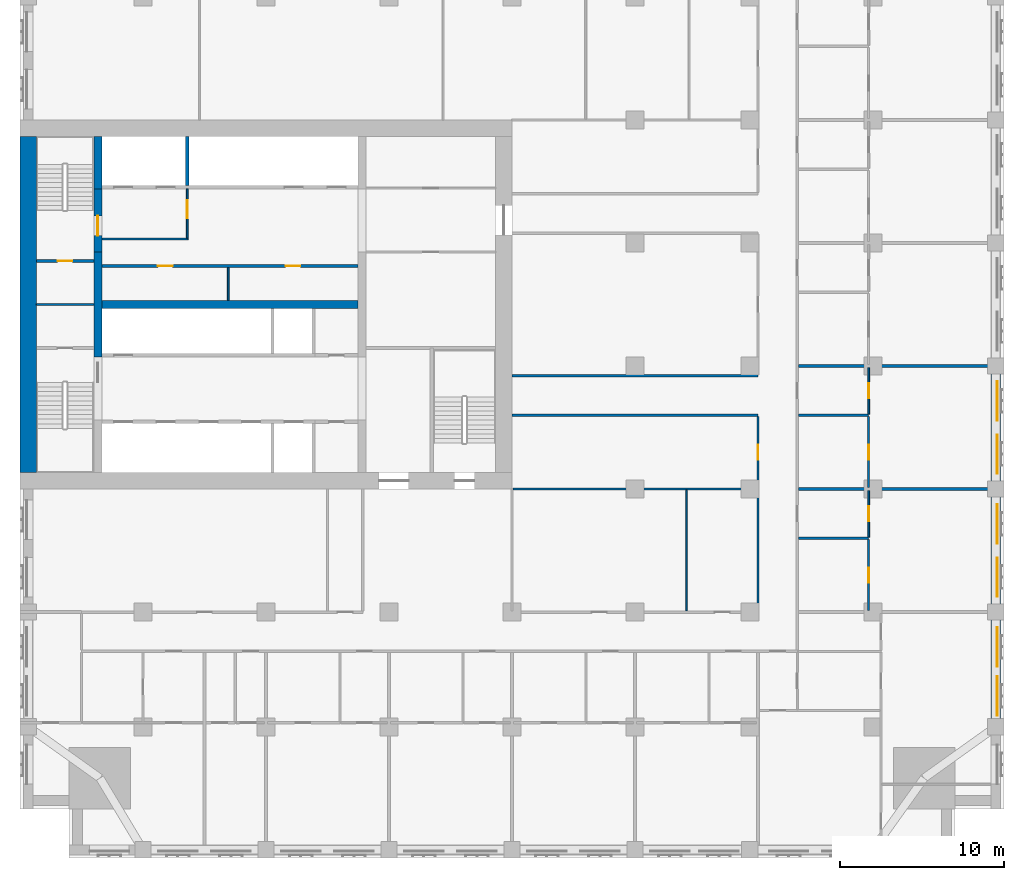
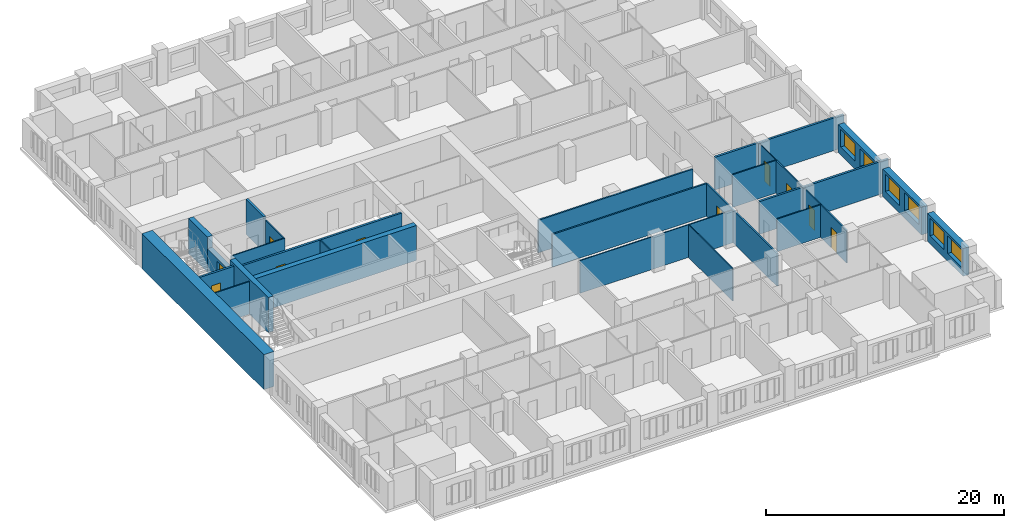
# One storey, part 7 of 14: 28 walls, 10 doors, 6 windows, 16 openings.
"""IFC4 building model written with IfcOpenShell, lengths in metres."""

from ifc_helpers import new_model, si_unit, direction, frame, frame_2d, origin, place, context, subcontext, project, spatial, rectangle, extrude, material, layer, layer_set, type_object, element, fill, save


model = new_model("IFC4")

# Units and contexts
model_context = context("Model", 3, precision=1e-05, world=origin(), true_north=direction((0.0, 1.0)))
body_context = subcontext(model_context, "Body", "Model", "MODEL_VIEW")
ifc_project = project(units=[si_unit("LENGTHUNIT", "METRE"), si_unit("AREAUNIT", "SQUARE_METRE"), si_unit("VOLUMEUNIT", "CUBIC_METRE"), si_unit("PLANEANGLEUNIT", "RADIAN"), si_unit("MASSUNIT", "GRAM", prefix="KILO")], contexts=[model_context])

# Site, building, storey
site_placement = place(None, origin())
site = spatial("IfcSite", under=ifc_project, at=site_placement, CompositionType="ELEMENT")
building_placement = place(site_placement, origin())
building = spatial("IfcBuilding", under=site, at=building_placement, Name="Tamorin Gate", CompositionType="ELEMENT")
storey_placement = place(building_placement, frame((0.0, 0.0, 86.300048828125)))
storey = spatial("IfcBuildingStorey", under=building, at=storey_placement, Name="L20", CompositionType="ELEMENT", Elevation=86.300048828125)

# Wall, openings, windows
ifc_material_1 = material(Name="Precast concrete C40/50", Category="concrete")
ifc_layer_1 = layer(ifc_material_1, 0.60009765625)
ifc_layer_set_1 = layer_set([ifc_layer_1], Name="Precast concrete C40/50")
wall_type_1 = type_object("IfcWallType", Name="Board-marked concrete facade panel 600", PredefinedType="SOLIDWALL", material=ifc_layer_set_1)
wall_1_placement = place(storey_placement, frame((89.5, 46.0, 0.0), z_axis=(0.0, 0.0, 1.0), x_axis=(0.0, 1.0, 0.0)))
wall_1 = element("IfcWall", 1, at=wall_1_placement, inside=storey, type_object=wall_type_1, Name="Facade panel", PredefinedType="SOLIDWALL", context=body_context, shape_type="SweptSolid", body=[
    extrude(rectangle(XDim=6.0, YDim=0.60009765625, at=frame_2d((3.0, 0.0))), origin(), (0.0, 0.0, 1.0), 2.849853515625),
])
opening_1_placement = place(wall_1_placement, frame((0.175048828125, 0.0, 0.800048828125)))
opening_1 = element("IfcOpeningElement", 2, at=opening_1_placement, cuts=wall_1, Name="Opening WN1", PredefinedType="OPENING", context=body_context, shape_type="SweptSolid", body=[
    extrude(rectangle(XDim=2.39990234375, YDim=1.800048828125, at=frame_2d((1.199951171875, 0.89990234375))), frame((0.0, 0.31005859375, 0.0), z_axis=(0.0, -1.0, 0.0), x_axis=(1.0, 0.0, 0.0)), (0.0, 0.0, 1.0), 0.6201171875),
])
opening_2_placement = place(wall_1_placement, frame((3.175048828125, 0.0, 0.800048828125)))
opening_2 = element("IfcOpeningElement", 3, at=opening_2_placement, cuts=wall_1, Name="Opening WN1", PredefinedType="OPENING", context=body_context, shape_type="SweptSolid", body=[
    extrude(rectangle(XDim=2.39990234375, YDim=1.800048828125, at=frame_2d((1.199951171875, 0.89990234375))), frame((0.0, 0.31005859375, 0.0), z_axis=(0.0, -1.0, 0.0), x_axis=(1.0, 0.0, 0.0)), (0.0, 0.0, 1.0), 0.6201171875),
])
ifc_material_2 = material(Name="Clear glass in aluminium frame", Category="aluminium")
window_type = type_object("IfcWindowType", Name="Deep-set window 2400x1800", PartitioningType="SINGLE_PANEL", PredefinedType="WINDOW", material=ifc_material_2)
window_1_placement = place(opening_1_placement, origin())
window_1 = element("IfcWindow", 4, at=window_1_placement, inside=storey, type_object=window_type, Name="Deep-set window", OverallHeight=1.800048828125, OverallWidth=2.39990234375, PartitioningType="SINGLE_PANEL", PredefinedType="WINDOW", context=body_context, shape_type="SweptSolid", body=[
    extrude(rectangle(XDim=2.39990234375, YDim=1.800048828125, at=frame_2d((1.199951171875, 0.89990234375))), frame((0.0, -0.070068359375, 0.0), z_axis=(0.0, -1.0, 0.0), x_axis=(1.0, 0.0, 0.0)), (0.0, 0.0, 1.0), 0.06005859375),
])
fill(opening_1, window_1)
window_2_placement = place(opening_2_placement, origin())
window_2 = element("IfcWindow", 5, at=window_2_placement, inside=storey, type_object=window_type, Name="Deep-set window", OverallHeight=1.800048828125, OverallWidth=2.39990234375, PartitioningType="SINGLE_PANEL", PredefinedType="WINDOW", context=body_context, shape_type="SweptSolid", body=[
    extrude(rectangle(XDim=2.39990234375, YDim=1.800048828125, at=frame_2d((1.199951171875, 0.89990234375))), frame((0.0, -0.070068359375, 0.0), z_axis=(0.0, -1.0, 0.0), x_axis=(1.0, 0.0, 0.0)), (0.0, 0.0, 1.0), 0.06005859375),
])
fill(opening_2, window_2)

wall_2_placement = place(storey_placement, frame((89.5, 53.0, 0.0), z_axis=(0.0, 0.0, 1.0), x_axis=(0.0, 1.0, 0.0)))
wall_2 = element("IfcWall", 6, at=wall_2_placement, inside=storey, type_object=wall_type_1, Name="Facade panel", PredefinedType="SOLIDWALL", context=body_context, shape_type="SweptSolid", body=[
    extrude(rectangle(XDim=6.5, YDim=0.60009765625, at=frame_2d((3.25, 0.0))), origin(), (0.0, 0.0, 1.0), 2.849853515625),
])
opening_3_placement = place(wall_2_placement, frame((0.425048828125, 0.0, 0.800048828125)))
opening_3 = element("IfcOpeningElement", 7, at=opening_3_placement, cuts=wall_2, Name="Opening WN1", PredefinedType="OPENING", context=body_context, shape_type="SweptSolid", body=[
    extrude(rectangle(XDim=2.39990234375, YDim=1.800048828125, at=frame_2d((1.199951171875, 0.89990234375))), frame((0.0, 0.31005859375, 0.0), z_axis=(0.0, -1.0, 0.0), x_axis=(1.0, 0.0, 0.0)), (0.0, 0.0, 1.0), 0.6201171875),
])
opening_4_placement = place(wall_2_placement, frame((3.675048828125, 0.0, 0.800048828125)))
opening_4 = element("IfcOpeningElement", 8, at=opening_4_placement, cuts=wall_2, Name="Opening WN1", PredefinedType="OPENING", context=body_context, shape_type="SweptSolid", body=[
    extrude(rectangle(XDim=2.39990234375, YDim=1.800048828125, at=frame_2d((1.199951171875, 0.89990234375))), frame((0.0, 0.31005859375, 0.0), z_axis=(0.0, -1.0, 0.0), x_axis=(1.0, 0.0, 0.0)), (0.0, 0.0, 1.0), 0.6201171875),
])
window_3_placement = place(opening_3_placement, origin())
window_3 = element("IfcWindow", 9, at=window_3_placement, inside=storey, type_object=window_type, Name="Deep-set window", OverallHeight=1.800048828125, OverallWidth=2.39990234375, PartitioningType="SINGLE_PANEL", PredefinedType="WINDOW", context=body_context, shape_type="SweptSolid", body=[
    extrude(rectangle(XDim=2.39990234375, YDim=1.800048828125, at=frame_2d((1.199951171875, 0.89990234375))), frame((0.0, -0.070068359375, 0.0), z_axis=(0.0, -1.0, 0.0), x_axis=(1.0, 0.0, 0.0)), (0.0, 0.0, 1.0), 0.06005859375),
])
fill(opening_3, window_3)
window_4_placement = place(opening_4_placement, origin())
window_4 = element("IfcWindow", 10, at=window_4_placement, inside=storey, type_object=window_type, Name="Deep-set window", OverallHeight=1.800048828125, OverallWidth=2.39990234375, PartitioningType="SINGLE_PANEL", PredefinedType="WINDOW", context=body_context, shape_type="SweptSolid", body=[
    extrude(rectangle(XDim=2.39990234375, YDim=1.800048828125, at=frame_2d((1.199951171875, 0.89990234375))), frame((0.0, -0.070068359375, 0.0), z_axis=(0.0, -1.0, 0.0), x_axis=(1.0, 0.0, 0.0)), (0.0, 0.0, 1.0), 0.06005859375),
])
fill(opening_4, window_4)

wall_3_placement = place(storey_placement, frame((89.5, 60.5, 0.0), z_axis=(0.0, 0.0, 1.0), x_axis=(0.0, 1.0, 0.0)))
wall_3 = element("IfcWall", 11, at=wall_3_placement, inside=storey, type_object=wall_type_1, Name="Facade panel", PredefinedType="SOLIDWALL", context=body_context, shape_type="SweptSolid", body=[
    extrude(rectangle(XDim=6.5, YDim=0.60009765625, at=frame_2d((3.25, 0.0))), origin(), (0.0, 0.0, 1.0), 2.849853515625),
])
opening_5_placement = place(wall_3_placement, frame((0.425048828125, 0.0, 0.800048828125)))
opening_5 = element("IfcOpeningElement", 12, at=opening_5_placement, cuts=wall_3, Name="Opening WN1", PredefinedType="OPENING", context=body_context, shape_type="SweptSolid", body=[
    extrude(rectangle(XDim=2.39990234375, YDim=1.800048828125, at=frame_2d((1.199951171875, 0.89990234375))), frame((0.0, 0.31005859375, 0.0), z_axis=(0.0, -1.0, 0.0), x_axis=(1.0, 0.0, 0.0)), (0.0, 0.0, 1.0), 0.6201171875),
])
opening_6_placement = place(wall_3_placement, frame((3.675048828125, 0.0, 0.800048828125)))
opening_6 = element("IfcOpeningElement", 13, at=opening_6_placement, cuts=wall_3, Name="Opening WN1", PredefinedType="OPENING", context=body_context, shape_type="SweptSolid", body=[
    extrude(rectangle(XDim=2.39990234375, YDim=1.800048828125, at=frame_2d((1.199951171875, 0.89990234375))), frame((0.0, 0.31005859375, 0.0), z_axis=(0.0, -1.0, 0.0), x_axis=(1.0, 0.0, 0.0)), (0.0, 0.0, 1.0), 0.6201171875),
])
window_5_placement = place(opening_5_placement, origin())
window_5 = element("IfcWindow", 14, at=window_5_placement, inside=storey, type_object=window_type, Name="Deep-set window", OverallHeight=1.800048828125, OverallWidth=2.39990234375, PartitioningType="SINGLE_PANEL", PredefinedType="WINDOW", context=body_context, shape_type="SweptSolid", body=[
    extrude(rectangle(XDim=2.39990234375, YDim=1.800048828125, at=frame_2d((1.199951171875, 0.89990234375))), frame((0.0, -0.070068359375, 0.0), z_axis=(0.0, -1.0, 0.0), x_axis=(1.0, 0.0, 0.0)), (0.0, 0.0, 1.0), 0.06005859375),
])
fill(opening_5, window_5)
window_6_placement = place(opening_6_placement, origin())
window_6 = element("IfcWindow", 15, at=window_6_placement, inside=storey, type_object=window_type, Name="Deep-set window", OverallHeight=1.800048828125, OverallWidth=2.39990234375, PartitioningType="SINGLE_PANEL", PredefinedType="WINDOW", context=body_context, shape_type="SweptSolid", body=[
    extrude(rectangle(XDim=2.39990234375, YDim=1.800048828125, at=frame_2d((1.199951171875, 0.89990234375))), frame((0.0, -0.070068359375, 0.0), z_axis=(0.0, -1.0, 0.0), x_axis=(1.0, 0.0, 0.0)), (0.0, 0.0, 1.0), 0.06005859375),
])
fill(opening_6, window_6)

# Wall, opening, door
ifc_material_3 = material(Name="Gypsum board partition")
ifc_layer_2 = layer(ifc_material_3, 0.14990234375)
ifc_layer_set_2 = layer_set([ifc_layer_2], Name="Corridor wall 150")
wall_type_2 = type_object("IfcWallType", Name="Corridor wall 150", PredefinedType="PARTITIONING", material=ifc_layer_set_2)
wall_4_placement = place(storey_placement, frame((75.0, 52.574951171875, 0.0), z_axis=(0.0, 0.0, 1.0), x_axis=(0.0, 1.0, 0.0)))
wall_4 = element("IfcWall", 16, at=wall_4_placement, inside=storey, type_object=wall_type_2, Name="Corridor wall 150", PredefinedType="PARTITIONING", context=body_context, shape_type="SweptSolid", body=[
    extrude(rectangle(XDim=11.85009765625, YDim=0.14990234375, at=frame_2d((5.925048828125, 0.0))), origin(), (0.0, 0.0, 1.0), 3.349853515625),
])
opening_7_placement = place(wall_4_placement, frame((9.22509765625, 0.0, 0.0)))
opening_7 = element("IfcOpeningElement", 17, at=opening_7_placement, cuts=wall_4, Name="Opening DH7075", PredefinedType="OPENING", context=body_context, shape_type="SweptSolid", body=[
    extrude(rectangle(XDim=0.89990234375, YDim=2.10009765625, at=frame_2d((0.449951171875, 1.050048828125))), frame((0.0, 0.0849609375, 0.0), z_axis=(0.0, -1.0, 0.0), x_axis=(1.0, 0.0, 0.0)), (0.0, 0.0, 1.0), 0.169921875),
])
ifc_material_4 = material(Name="Timber door leaf", Category="wood")
door_type_1 = type_object("IfcDoorType", Name="Door 900 x 2100 FD30S", OperationType="NOTDEFINED", PredefinedType="DOOR", material=ifc_material_4)
door_1_placement = place(opening_7_placement, origin())
door_1 = element("IfcDoor", 18, at=door_1_placement, inside=storey, type_object=door_type_1, Name="Door DH7075", OperationType="SINGLE_SWING_LEFT", OverallHeight=2.10009765625, OverallWidth=0.89990234375, PredefinedType="DOOR", context=body_context, shape_type="SweptSolid", body=[
    extrude(rectangle(XDim=0.89990234375, YDim=2.10009765625, at=frame_2d((0.449951171875, 1.050048828125))), frame((0.0, 0.02490234375, 0.0), z_axis=(0.0, -1.0, 0.0), x_axis=(1.0, 0.0, 0.0)), (0.0, 0.0, 1.0), 0.050048828125),
])
fill(opening_7, door_1)

# Walls
ifc_layer_3 = layer(ifc_material_3, 0.199951171875)
ifc_layer_set_3 = layer_set([ifc_layer_3], Name="Demising wall 200")
wall_type_3 = type_object("IfcWallType", Name="Demising wall 200", PredefinedType="PARTITIONING", material=ifc_layer_set_3)
for number, where, z_axis, x_axis, name in (
    (19, (77.47509765625, 60.0, 0.0), (0.0, 0.0, 1.0), (1.0, 0.0, 0.0), "Demising wall 200"),
    (20, (77.47509765625, 67.5, 0.0), (0.0, 0.0, 1.0), (1.0, 0.0, 0.0), "Demising wall 200"),
):
    element("IfcWall", number, at=place(storey_placement, frame(where, z_axis=z_axis, x_axis=x_axis)), inside=storey, type_object=wall_type_3, Name=name, PredefinedType="PARTITIONING", context=body_context, shape_type="SweptSolid", body=[
        extrude(rectangle(XDim=12.52490234375, YDim=0.199951171875, at=frame_2d((6.262451171875, 0.0))), origin(), (0.0, 0.0, 1.0), 3.349853515625),
    ])
ifc_material_5 = material(Name="Concrete C32/40", Category="concrete")
ifc_layer_4 = layer(ifc_material_5, 0.199951171875)
ifc_layer_set_4 = layer_set([ifc_layer_4], Name="Lift shaft wall 200 EI 120")
wall_type_4 = type_object("IfcWallType", Name="Lift shaft wall 200 EI 120", PredefinedType="SOLIDWALL", material=ifc_layer_set_4)
wall_5_placement = place(storey_placement, frame((40.199951171875, 78.5, 0.0), z_axis=(0.0, 0.0, 1.0), x_axis=(0.0, 1.0, 0.0)))
element("IfcWall", 21, at=wall_5_placement, inside=storey, type_object=wall_type_4, Name="Lift shaft wall", PredefinedType="SOLIDWALL", context=body_context, shape_type="SweptSolid", body=[
    extrude(rectangle(XDim=3.0, YDim=0.199951171875, at=frame_2d((1.5, 0.0))), origin(), (0.0, 0.0, 1.0), 3.599853515625),
])
ifc_material_6 = material(Name="Fire-rated gypsum board partition")
ifc_layer_5 = layer(ifc_material_6, 0.10009765625)
ifc_layer_set_5 = layer_set([ifc_layer_5], Name="Lobby wall 100 EI 60")
wall_type_5 = type_object("IfcWallType", Name="Lobby wall 100 EI 60", PredefinedType="PARTITIONING", material=ifc_layer_set_5)
wall_6_placement = place(storey_placement, frame((35.0, 75.25, 0.0), z_axis=(0.0, 0.0, 1.0), x_axis=(1.0, 0.0, 0.0)))
element("IfcWall", 22, at=wall_6_placement, inside=storey, type_object=wall_type_5, Name="Firefighting lobby wall", PredefinedType="PARTITIONING", context=body_context, shape_type="SweptSolid", body=[
    extrude(rectangle(XDim=5.25, YDim=0.10009765625, at=frame_2d((2.625, 0.0))), origin(), (0.0, 0.0, 1.0), 3.349853515625),
])

# Wall, opening, door
wall_7_placement = place(storey_placement, frame((40.199951171875, 75.300048828125, 0.0), z_axis=(0.0, 0.0, 1.0), x_axis=(0.0, 1.0, 0.0)))
wall_7 = element("IfcWall", 23, at=wall_7_placement, inside=storey, type_object=wall_type_5, Name="Firefighting lobby wall", PredefinedType="PARTITIONING", context=body_context, shape_type="SweptSolid", body=[
    extrude(rectangle(XDim=3.0, YDim=0.10009765625, at=frame_2d((1.5, 0.0))), origin(), (0.0, 0.0, 1.0), 3.349853515625),
])
opening_8_placement = place(wall_7_placement, frame((1.199951171875, 0.0, 0.0)))
opening_8 = element("IfcOpeningElement", 24, at=opening_8_placement, cuts=wall_7, Name="Opening DF1", PredefinedType="OPENING", context=body_context, shape_type="SweptSolid", body=[
    extrude(rectangle(XDim=1.10009765625, YDim=2.10009765625, at=frame_2d((0.550048828125, 1.050048828125))), frame((0.0, 0.06005859375, 0.0), z_axis=(0.0, -1.0, 0.0), x_axis=(1.0, 0.0, 0.0)), (0.0, 0.0, 1.0), 0.1201171875),
])
ifc_material_7 = material(Name="Steel fire door", Category="steel")
door_type_2 = type_object("IfcDoorType", Name="Firefighting lobby door 1100 x 2100 EI 90", OperationType="SINGLE_SWING_LEFT", PredefinedType="DOOR", material=ifc_material_7)
door_2_placement = place(opening_8_placement, origin())
door_2 = element("IfcDoor", 25, at=door_2_placement, inside=storey, type_object=door_type_2, Name="Firefighting lobby door", OperationType="SINGLE_SWING_LEFT", OverallHeight=2.10009765625, OverallWidth=1.10009765625, PredefinedType="DOOR", context=body_context, shape_type="SweptSolid", body=[
    extrude(rectangle(XDim=1.10009765625, YDim=2.10009765625, at=frame_2d((0.550048828125, 1.050048828125))), frame((0.0, 0.02490234375, 0.0), z_axis=(0.0, -1.0, 0.0), x_axis=(1.0, 0.0, 0.0)), (0.0, 0.0, 1.0), 0.050048828125),
])
fill(opening_8, door_2)

# Walls
ifc_layer_6 = layer(ifc_material_3, 0.14990234375)
ifc_layer_set_6 = layer_set([ifc_layer_6], Name="Lobby wall 150")
wall_type_6 = type_object("IfcWallType", Name="Lobby wall 150", PredefinedType="PARTITIONING", material=ifc_layer_set_6)
for number, where, z_axis, x_axis, name in (
    (26, (60.0, 64.5, 0.0), (0.0, 0.0, 1.0), (1.0, 0.0, 0.0), "Lobby wall 150"),
    (27, (60.0, 66.89990234375, 0.0), (0.0, 0.0, 1.0), (1.0, 0.0, 0.0), "Lobby wall 150"),
):
    element("IfcWall", number, at=place(storey_placement, frame(where, z_axis=z_axis, x_axis=x_axis)), inside=storey, type_object=wall_type_6, Name=name, PredefinedType="PARTITIONING", context=body_context, shape_type="SweptSolid", body=[
        extrude(rectangle(XDim=15.0, YDim=0.14990234375, at=frame_2d((7.5, 0.0))), origin(), (0.0, 0.0, 1.0), 3.349853515625),
    ])
ifc_material_8 = material(Name="Concrete C80/95", Category="concrete")
ifc_layer_7 = layer(ifc_material_8, 0.5)
ifc_layer_set_7 = layer_set([ifc_layer_7], Name="RC core internal wall 500 C80/95")
wall_type_7 = type_object("IfcWallType", Name="RC core internal wall 500 C80/95", PredefinedType="SHEAR", material=ifc_layer_set_7)
wall_8_placement = place(storey_placement, frame((35.0, 71.25, 0.0), z_axis=(0.0, 0.0, 1.0), x_axis=(1.0, 0.0, 0.0)))
element("IfcWall", 28, at=wall_8_placement, inside=storey, type_object=wall_type_7, Name="Core spine wall L20", PredefinedType="SHEAR", context=body_context, shape_type="SweptSolid", body=[
    extrude(rectangle(XDim=15.60009765625, YDim=0.5, at=frame_2d((7.800048828125, 0.0))), origin(), (0.0, 0.0, 1.0), 3.599853515625),
])
wall_9_placement = place(storey_placement, frame((34.75, 68.050048828125, 0.0), z_axis=(0.0, 0.0, 1.0), x_axis=(0.0, 1.0, 0.0)))
element("IfcWall", 29, at=wall_9_placement, inside=storey, type_object=wall_type_7, Name="Core cross wall L20", PredefinedType="SHEAR", context=body_context, shape_type="SweptSolid", body=[
    extrude(rectangle(XDim=6.39990234375, YDim=0.5, at=frame_2d((3.199951171875, 0.0))), origin(), (0.0, 0.0, 1.0), 3.599853515625),
])
wall_10_placement = place(storey_placement, frame((34.75, 78.300048828125, 0.0), z_axis=(0.0, 0.0, 1.0), x_axis=(0.0, 1.0, 0.0)))
element("IfcWall", 30, at=wall_10_placement, inside=storey, type_object=wall_type_7, Name="Core cross wall L20", PredefinedType="SHEAR", context=body_context, shape_type="SweptSolid", body=[
    extrude(rectangle(XDim=3.199951171875, YDim=0.5, at=frame_2d((1.60009765625, 0.0))), origin(), (0.0, 0.0, 1.0), 3.599853515625),
])
ifc_layer_8 = layer(ifc_material_8, 1.0)
ifc_layer_set_8 = layer_set([ifc_layer_8], Name="RC core wall 1000 C80/95")
wall_type_8 = type_object("IfcWallType", Name="RC core wall 1000 C80/95", PredefinedType="SHEAR", material=ifc_layer_set_8)
wall_11_placement = place(storey_placement, frame((30.5, 61.0, 0.0), z_axis=(0.0, 0.0, 1.0), x_axis=(0.0, 1.0, 0.0)))
element("IfcWall", 31, at=wall_11_placement, inside=storey, type_object=wall_type_8, Name="Core wall L20", PredefinedType="SHEAR", context=body_context, shape_type="SweptSolid", body=[
    extrude(rectangle(XDim=20.5, YDim=1.0, at=frame_2d((10.25, 0.0))), origin(), (0.0, 0.0, 1.0), 3.599853515625),
])
ifc_layer_9 = layer(ifc_material_6, 0.10009765625)
ifc_layer_set_9 = layer_set([ifc_layer_9], Name="Riser partition 100 EI 120")
wall_type_9 = type_object("IfcWallType", Name="Riser partition 100 EI 120", PredefinedType="PARTITIONING", material=ifc_layer_set_9)
wall_12_placement = place(storey_placement, frame((31.0, 71.25, 0.0), z_axis=(0.0, 0.0, 1.0), x_axis=(1.0, 0.0, 0.0)))
element("IfcWall", 32, at=wall_12_placement, inside=storey, type_object=wall_type_9, Name="Riser partition", PredefinedType="PARTITIONING", context=body_context, shape_type="SweptSolid", body=[
    extrude(rectangle(XDim=3.5, YDim=0.10009765625, at=frame_2d((1.75, 0.0))), origin(), (0.0, 0.0, 1.0), 3.349853515625),
])
ifc_layer_10 = layer(ifc_material_3, 0.10009765625)
ifc_layer_set_10 = layer_set([ifc_layer_10], Name="Room partition 100")
wall_type_10 = type_object("IfcWallType", Name="Room partition 100", PredefinedType="PARTITIONING", material=ifc_layer_set_10)
wall_13_placement = place(storey_placement, frame((60.074951171875, 60.0, 0.0), z_axis=(0.0, 0.0, 1.0), x_axis=(1.0, 0.0, 0.0)))
element("IfcWall", 33, at=wall_13_placement, inside=storey, type_object=wall_type_10, Name="Room partition 100", PredefinedType="PARTITIONING", context=body_context, shape_type="SweptSolid", body=[
    extrude(rectangle(XDim=14.85009765625, YDim=0.10009765625, at=frame_2d((7.425048828125, 0.0))), origin(), (0.0, 0.0, 1.0), 3.349853515625),
])
wall_14_placement = place(storey_placement, frame((70.64990234375, 52.574951171875, 0.0), z_axis=(0.0, 0.0, 1.0), x_axis=(0.0, 1.0, 0.0)))
element("IfcWall", 34, at=wall_14_placement, inside=storey, type_object=wall_type_10, Name="Room partition 100", PredefinedType="PARTITIONING", context=body_context, shape_type="SweptSolid", body=[
    extrude(rectangle(XDim=7.375, YDim=0.10009765625, at=frame_2d((3.6875, 0.0))), origin(), (0.0, 0.0, 1.0), 3.349853515625),
])

# Wall, opening, door
wall_15_placement = place(storey_placement, frame((81.75, 57.0625, 0.0), z_axis=(0.0, 0.0, 1.0), x_axis=(0.0, 1.0, 0.0)))
wall_15 = element("IfcWall", 35, at=wall_15_placement, inside=storey, type_object=wall_type_10, Name="Room partition 100", PredefinedType="PARTITIONING", context=body_context, shape_type="SweptSolid", body=[
    extrude(rectangle(XDim=2.83740234375, YDim=0.10009765625, at=frame_2d((1.418701171875, 0.0))), origin(), (0.0, 0.0, 1.0), 3.349853515625),
])
opening_9_placement = place(wall_15_placement, frame((0.987548828125, 0.0, 0.0)))
opening_9 = element("IfcOpeningElement", 36, at=opening_9_placement, cuts=wall_15, Name="Opening DH7041", PredefinedType="OPENING", context=body_context, shape_type="SweptSolid", body=[
    extrude(rectangle(XDim=0.89990234375, YDim=2.10009765625, at=frame_2d((0.449951171875, 1.050048828125))), frame((0.0, 0.06005859375, 0.0), z_axis=(0.0, -1.0, 0.0), x_axis=(1.0, 0.0, 0.0)), (0.0, 0.0, 1.0), 0.1201171875),
])
door_type_3 = type_object("IfcDoorType", Name="Door 900 x 2100", OperationType="NOTDEFINED", PredefinedType="DOOR", material=ifc_material_4)
door_3_placement = place(opening_9_placement, origin())
door_3 = element("IfcDoor", 37, at=door_3_placement, inside=storey, type_object=door_type_3, Name="Door DH7041", OperationType="SINGLE_SWING_LEFT", OverallHeight=2.10009765625, OverallWidth=0.89990234375, PredefinedType="DOOR", context=body_context, shape_type="SweptSolid", body=[
    extrude(rectangle(XDim=0.89990234375, YDim=2.10009765625, at=frame_2d((0.449951171875, 1.050048828125))), frame((0.0, 0.02490234375, 0.0), z_axis=(0.0, -1.0, 0.0), x_axis=(1.0, 0.0, 0.0)), (0.0, 0.0, 1.0), 0.050048828125),
])
fill(opening_9, door_3)

wall_16_placement = place(storey_placement, frame((81.75, 64.5625, 0.0), z_axis=(0.0, 0.0, 1.0), x_axis=(0.0, 1.0, 0.0)))
wall_16 = element("IfcWall", 38, at=wall_16_placement, inside=storey, type_object=wall_type_10, Name="Room partition 100", PredefinedType="PARTITIONING", context=body_context, shape_type="SweptSolid", body=[
    extrude(rectangle(XDim=2.83740234375, YDim=0.10009765625, at=frame_2d((1.418701171875, 0.0))), origin(), (0.0, 0.0, 1.0), 3.349853515625),
])
opening_10_placement = place(wall_16_placement, frame((0.987548828125, 0.0, 0.0)))
opening_10 = element("IfcOpeningElement", 39, at=opening_10_placement, cuts=wall_16, Name="Opening DH7044", PredefinedType="OPENING", context=body_context, shape_type="SweptSolid", body=[
    extrude(rectangle(XDim=0.89990234375, YDim=2.10009765625, at=frame_2d((0.449951171875, 1.050048828125))), frame((0.0, 0.06005859375, 0.0), z_axis=(0.0, -1.0, 0.0), x_axis=(1.0, 0.0, 0.0)), (0.0, 0.0, 1.0), 0.1201171875),
])
door_4_placement = place(opening_10_placement, origin())
door_4 = element("IfcDoor", 40, at=door_4_placement, inside=storey, type_object=door_type_3, Name="Door DH7044", OperationType="SINGLE_SWING_LEFT", OverallHeight=2.10009765625, OverallWidth=0.89990234375, PredefinedType="DOOR", context=body_context, shape_type="SweptSolid", body=[
    extrude(rectangle(XDim=0.89990234375, YDim=2.10009765625, at=frame_2d((0.449951171875, 1.050048828125))), frame((0.0, 0.02490234375, 0.0), z_axis=(0.0, -1.0, 0.0), x_axis=(1.0, 0.0, 0.0)), (0.0, 0.0, 1.0), 0.050048828125),
])
fill(opening_10, door_4)

# Wall, openings, doors
ifc_layer_11 = layer(ifc_material_3, 0.199951171875)
ifc_layer_set_11 = layer_set([ifc_layer_11], Name="Service room face wall 200 EI 60")
wall_type_11 = type_object("IfcWallType", Name="Service room face wall 200 EI 60", PredefinedType="PARTITIONING", material=ifc_layer_set_11)
wall_17_placement = place(storey_placement, frame((35.0, 73.60009765625, 0.0), z_axis=(0.0, 0.0, 1.0), x_axis=(1.0, 0.0, 0.0)))
wall_17 = element("IfcWall", 41, at=wall_17_placement, inside=storey, type_object=wall_type_11, Name="Service room face wall", PredefinedType="PARTITIONING", context=body_context, shape_type="SweptSolid", body=[
    extrude(rectangle(XDim=15.60009765625, YDim=0.199951171875, at=frame_2d((7.800048828125, 0.0))), origin(), (0.0, 0.0, 1.0), 3.349853515625),
])
opening_11_placement = place(wall_17_placement, frame((3.39990234375, 0.0, 0.0)))
opening_11 = element("IfcOpeningElement", 42, at=opening_11_placement, cuts=wall_17, Name="Opening DK1", PredefinedType="OPENING", context=body_context, shape_type="SweptSolid", body=[
    extrude(rectangle(XDim=0.89990234375, YDim=2.10009765625, at=frame_2d((0.449951171875, 1.050048828125))), frame((0.0, 0.10986328125, 0.0), z_axis=(0.0, -1.0, 0.0), x_axis=(1.0, 0.0, 0.0)), (0.0, 0.0, 1.0), 0.219970703125),
])
opening_12_placement = place(wall_17_placement, frame((11.199951171875, 0.0, 0.0)))
opening_12 = element("IfcOpeningElement", 43, at=opening_12_placement, cuts=wall_17, Name="Opening DK1", PredefinedType="OPENING", context=body_context, shape_type="SweptSolid", body=[
    extrude(rectangle(XDim=0.89990234375, YDim=2.10009765625, at=frame_2d((0.449951171875, 1.050048828125))), frame((0.0, 0.10986328125, 0.0), z_axis=(0.0, -1.0, 0.0), x_axis=(1.0, 0.0, 0.0)), (0.0, 0.0, 1.0), 0.219970703125),
])
ifc_material_9 = material(Name="Timber fire door", Category="wood")
door_type_4 = type_object("IfcDoorType", Name="Service room door 900 x 2100 EI 60", OperationType="SINGLE_SWING_LEFT", PredefinedType="DOOR", material=ifc_material_9)
door_5_placement = place(opening_11_placement, origin())
door_5 = element("IfcDoor", 44, at=door_5_placement, inside=storey, type_object=door_type_4, Name="Door Housekeeping store", OperationType="SINGLE_SWING_RIGHT", OverallHeight=2.10009765625, OverallWidth=0.89990234375, PredefinedType="DOOR", context=body_context, shape_type="SweptSolid", body=[
    extrude(rectangle(XDim=0.89990234375, YDim=2.10009765625, at=frame_2d((0.449951171875, 1.050048828125))), frame((0.0, 0.02490234375, 0.0), z_axis=(0.0, -1.0, 0.0), x_axis=(1.0, 0.0, 0.0)), (0.0, 0.0, 1.0), 0.050048828125),
])
fill(opening_11, door_5)
door_6_placement = place(opening_12_placement, origin())
door_6 = element("IfcDoor", 45, at=door_6_placement, inside=storey, type_object=door_type_4, Name="Door Electrical and IT room", OperationType="SINGLE_SWING_LEFT", OverallHeight=2.10009765625, OverallWidth=0.89990234375, PredefinedType="DOOR", context=body_context, shape_type="SweptSolid", body=[
    extrude(rectangle(XDim=0.89990234375, YDim=2.10009765625, at=frame_2d((0.449951171875, 1.050048828125))), frame((0.0, 0.02490234375, 0.0), z_axis=(0.0, -1.0, 0.0), x_axis=(1.0, 0.0, 0.0)), (0.0, 0.0, 1.0), 0.050048828125),
])
fill(opening_12, door_6)

# Wall
ifc_layer_12 = layer(ifc_material_3, 0.10009765625)
ifc_layer_set_12 = layer_set([ifc_layer_12], Name="Service room partition 100 EI 60")
wall_type_12 = type_object("IfcWallType", Name="Service room partition 100 EI 60", PredefinedType="PARTITIONING", material=ifc_layer_set_12)
wall_18_placement = place(storey_placement, frame((42.699951171875, 71.5, 0.0), z_axis=(0.0, 0.0, 1.0), x_axis=(0.0, 1.0, 0.0)))
element("IfcWall", 46, at=wall_18_placement, inside=storey, type_object=wall_type_12, Name="Service room partition", PredefinedType="PARTITIONING", context=body_context, shape_type="SweptSolid", body=[
    extrude(rectangle(XDim=2.0, YDim=0.10009765625, at=frame_2d((1.0, 0.0))), origin(), (0.0, 0.0, 1.0), 3.349853515625),
])

# Wall, opening, door
ifc_material_10 = material(Name="Concrete C40/50", Category="concrete")
ifc_layer_13 = layer(ifc_material_10, 0.199951171875)
ifc_layer_set_13 = layer_set([ifc_layer_13], Name="Stair enclosure wall 200 EI 120 C40/50")
wall_type_13 = type_object("IfcWallType", Name="Stair enclosure wall 200 EI 120 C40/50", PredefinedType="SOLIDWALL", material=ifc_layer_set_13)
wall_19_placement = place(storey_placement, frame((31.0, 73.89990234375, 0.0), z_axis=(0.0, 0.0, 1.0), x_axis=(1.0, 0.0, 0.0)))
wall_19 = element("IfcWall", 47, at=wall_19_placement, inside=storey, type_object=wall_type_13, Name="Stair enclosure wall", PredefinedType="SOLIDWALL", context=body_context, shape_type="SweptSolid", body=[
    extrude(rectangle(XDim=3.5, YDim=0.199951171875, at=frame_2d((1.75, 0.0))), origin(), (0.0, 0.0, 1.0), 3.349853515625),
])
opening_13_placement = place(wall_19_placement, frame((1.300048828125, 0.0, 0.0)))
opening_13 = element("IfcOpeningElement", 48, at=opening_13_placement, cuts=wall_19, Name="Opening DR1", PredefinedType="OPENING", context=body_context, shape_type="SweptSolid", body=[
    extrude(rectangle(XDim=0.89990234375, YDim=2.10009765625, at=frame_2d((0.449951171875, 1.050048828125))), frame((0.0, 0.10986328125, 0.0), z_axis=(0.0, -1.0, 0.0), x_axis=(1.0, 0.0, 0.0)), (0.0, 0.0, 1.0), 0.219970703125),
])
door_type_5 = type_object("IfcDoorType", Name="Riser access door 900 x 2100 EI 120", OperationType="SINGLE_SWING_LEFT", PredefinedType="DOOR", material=ifc_material_7)
door_7_placement = place(opening_13_placement, origin())
door_7 = element("IfcDoor", 49, at=door_7_placement, inside=storey, type_object=door_type_5, Name="Communications riser door", OperationType="SINGLE_SWING_RIGHT", OverallHeight=2.10009765625, OverallWidth=0.89990234375, PredefinedType="DOOR", context=body_context, shape_type="SweptSolid", body=[
    extrude(rectangle(XDim=0.89990234375, YDim=2.10009765625, at=frame_2d((0.449951171875, 1.050048828125))), frame((0.0, 0.02490234375, 0.0), z_axis=(0.0, -1.0, 0.0), x_axis=(1.0, 0.0, 0.0)), (0.0, 0.0, 1.0), 0.050048828125),
])
fill(opening_13, door_7)

ifc_layer_14 = layer(ifc_material_5, 0.5)
ifc_layer_set_14 = layer_set([ifc_layer_14], Name="Stair lobby infill wall 500 EI 120")
wall_type_14 = type_object("IfcWallType", Name="Stair lobby infill wall 500 EI 120", PredefinedType="SOLIDWALL", material=ifc_layer_set_14)
wall_20_placement = place(storey_placement, frame((34.75, 74.449951171875, 0.0), z_axis=(0.0, 0.0, 1.0), x_axis=(0.0, 1.0, 0.0)))
wall_20 = element("IfcWall", 50, at=wall_20_placement, inside=storey, type_object=wall_type_14, Name="Stair lobby infill wall", PredefinedType="SOLIDWALL", context=body_context, shape_type="SweptSolid", body=[
    extrude(rectangle(XDim=3.85009765625, YDim=0.5, at=frame_2d((1.925048828125, 0.0))), origin(), (0.0, 0.0, 1.0), 2.39990234375),
])
opening_14_placement = place(wall_20_placement, frame((1.0, 0.0, 0.0)))
opening_14 = element("IfcOpeningElement", 51, at=opening_14_placement, cuts=wall_20, Name="Opening DS1", PredefinedType="OPENING", context=body_context, shape_type="SweptSolid", body=[
    extrude(rectangle(XDim=1.199951171875, YDim=2.10009765625, at=frame_2d((0.60009765625, 1.050048828125))), frame((0.0, 0.260009765625, 0.0), z_axis=(0.0, -1.0, 0.0), x_axis=(1.0, 0.0, 0.0)), (0.0, 0.0, 1.0), 0.52001953125),
])
door_type_6 = type_object("IfcDoorType", Name="Stair door 1200 x 2100 EI 90", OperationType="SINGLE_SWING_LEFT", PredefinedType="DOOR", material=ifc_material_7)
door_8_placement = place(opening_14_placement, origin())
door_8 = element("IfcDoor", 52, at=door_8_placement, inside=storey, type_object=door_type_6, Name="ST2 door", OperationType="SINGLE_SWING_RIGHT", OverallHeight=2.10009765625, OverallWidth=1.199951171875, PredefinedType="DOOR", context=body_context, shape_type="SweptSolid", body=[
    extrude(rectangle(XDim=1.199951171875, YDim=2.10009765625, at=frame_2d((0.60009765625, 1.050048828125))), frame((0.0, 0.02490234375, 0.0), z_axis=(0.0, -1.0, 0.0), x_axis=(1.0, 0.0, 0.0)), (0.0, 0.0, 1.0), 0.050048828125),
])
fill(opening_14, door_8)

# Walls
ifc_layer_15 = layer(ifc_material_3, 0.125)
ifc_layer_set_15 = layer_set([ifc_layer_15], Name="Wet wall 125")
wall_type_15 = type_object("IfcWallType", Name="Wet wall 125", PredefinedType="PARTITIONING", material=ifc_layer_set_15)
for number, where, z_axis, x_axis, name in (
    (53, (77.47509765625, 57.0, 0.0), (0.0, 0.0, 1.0), (1.0, 0.0, 0.0), "Wet wall 125"),
    (54, (77.47509765625, 64.5, 0.0), (0.0, 0.0, 1.0), (1.0, 0.0, 0.0), "Wet wall 125"),
):
    element("IfcWall", number, at=place(storey_placement, frame(where, z_axis=z_axis, x_axis=x_axis)), inside=storey, type_object=wall_type_15, Name=name, PredefinedType="PARTITIONING", context=body_context, shape_type="SweptSolid", body=[
        extrude(rectangle(XDim=4.27490234375, YDim=0.125, at=frame_2d((2.137451171875, 0.0))), origin(), (0.0, 0.0, 1.0), 3.349853515625),
    ])

# Wall, opening, door
wall_21_placement = place(storey_placement, frame((81.75, 52.60009765625, 0.0), z_axis=(0.0, 0.0, 1.0), x_axis=(0.0, 1.0, 0.0)))
wall_21 = element("IfcWall", 55, at=wall_21_placement, inside=storey, type_object=wall_type_15, Name="Wet wall 125", PredefinedType="PARTITIONING", context=body_context, shape_type="SweptSolid", body=[
    extrude(rectangle(XDim=4.33740234375, YDim=0.125, at=frame_2d((2.168701171875, 0.0))), origin(), (0.0, 0.0, 1.0), 3.349853515625),
])
opening_15_placement = place(wall_21_placement, frame((1.699951171875, 0.0, 0.0)))
opening_15 = element("IfcOpeningElement", 56, at=opening_15_placement, cuts=wall_21, Name="Opening DH7039", PredefinedType="OPENING", context=body_context, shape_type="SweptSolid", body=[
    extrude(rectangle(XDim=0.89990234375, YDim=2.10009765625, at=frame_2d((0.449951171875, 1.050048828125))), frame((0.0, 0.072509765625, 0.0), z_axis=(0.0, -1.0, 0.0), x_axis=(1.0, 0.0, 0.0)), (0.0, 0.0, 1.0), 0.14501953125),
])
door_9_placement = place(opening_15_placement, origin())
door_9 = element("IfcDoor", 57, at=door_9_placement, inside=storey, type_object=door_type_3, Name="Door DH7039", OperationType="SINGLE_SWING_LEFT", OverallHeight=2.10009765625, OverallWidth=0.89990234375, PredefinedType="DOOR", context=body_context, shape_type="SweptSolid", body=[
    extrude(rectangle(XDim=0.89990234375, YDim=2.10009765625, at=frame_2d((0.449951171875, 1.050048828125))), frame((0.0, 0.02490234375, 0.0), z_axis=(0.0, -1.0, 0.0), x_axis=(1.0, 0.0, 0.0)), (0.0, 0.0, 1.0), 0.050048828125),
])
fill(opening_15, door_9)

wall_22_placement = place(storey_placement, frame((81.75, 60.10009765625, 0.0), z_axis=(0.0, 0.0, 1.0), x_axis=(0.0, 1.0, 0.0)))
wall_22 = element("IfcWall", 58, at=wall_22_placement, inside=storey, type_object=wall_type_15, Name="Wet wall 125", PredefinedType="PARTITIONING", context=body_context, shape_type="SweptSolid", body=[
    extrude(rectangle(XDim=4.33740234375, YDim=0.125, at=frame_2d((2.168701171875, 0.0))), origin(), (0.0, 0.0, 1.0), 3.349853515625),
])
opening_16_placement = place(wall_22_placement, frame((1.699951171875, 0.0, 0.0)))
opening_16 = element("IfcOpeningElement", 59, at=opening_16_placement, cuts=wall_22, Name="Opening DH7042", PredefinedType="OPENING", context=body_context, shape_type="SweptSolid", body=[
    extrude(rectangle(XDim=0.89990234375, YDim=2.10009765625, at=frame_2d((0.449951171875, 1.050048828125))), frame((0.0, 0.072509765625, 0.0), z_axis=(0.0, -1.0, 0.0), x_axis=(1.0, 0.0, 0.0)), (0.0, 0.0, 1.0), 0.14501953125),
])
door_10_placement = place(opening_16_placement, origin())
door_10 = element("IfcDoor", 60, at=door_10_placement, inside=storey, type_object=door_type_3, Name="Door DH7042", OperationType="SINGLE_SWING_LEFT", OverallHeight=2.10009765625, OverallWidth=0.89990234375, PredefinedType="DOOR", context=body_context, shape_type="SweptSolid", body=[
    extrude(rectangle(XDim=0.89990234375, YDim=2.10009765625, at=frame_2d((0.449951171875, 1.050048828125))), frame((0.0, 0.02490234375, 0.0), z_axis=(0.0, -1.0, 0.0), x_axis=(1.0, 0.0, 0.0)), (0.0, 0.0, 1.0), 0.050048828125),
])
fill(opening_16, door_10)

save(model, "model.ifc")
